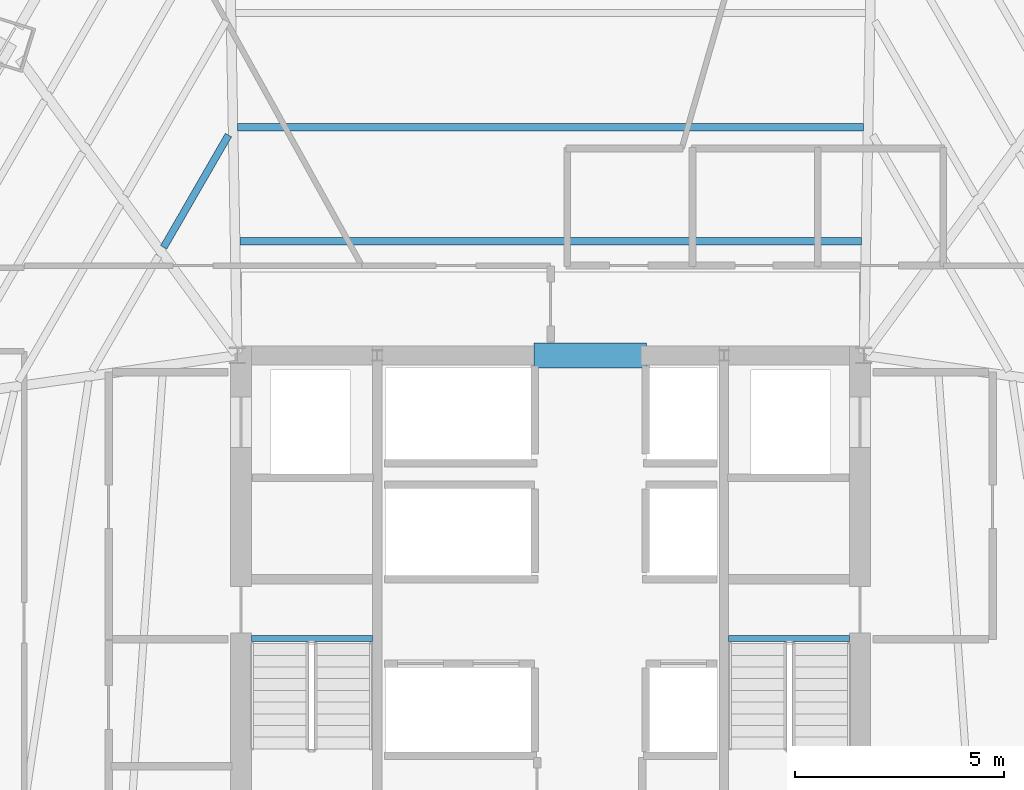
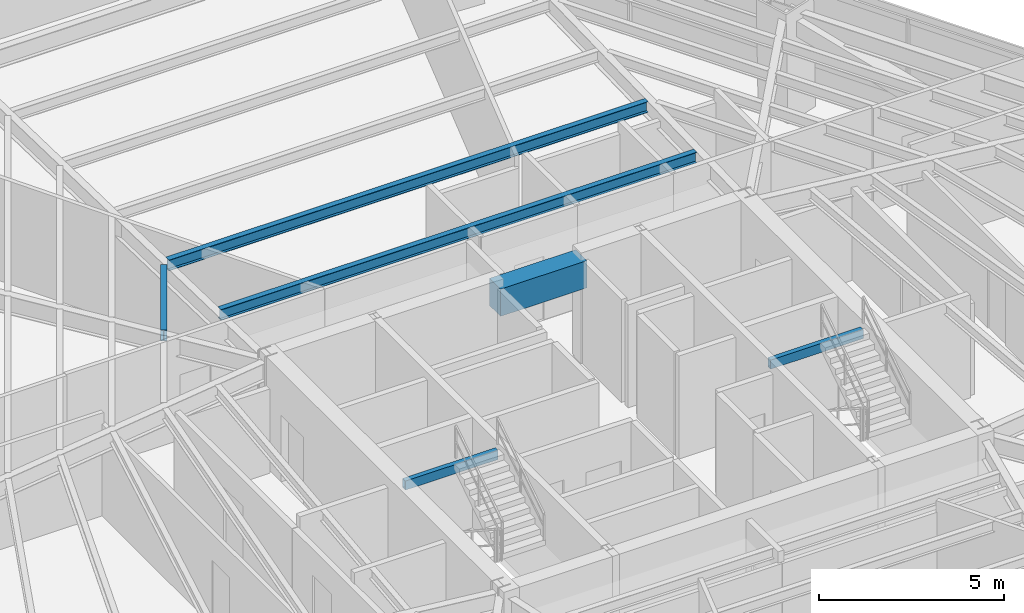
# One storey, part 14 of 35: 6 beams.
"""IFC4 building model written with IfcOpenShell, lengths in metres."""

from ifc_helpers import new_model, si_unit, direction, frame, origin, origin_2d, place, context, subcontext, project, spatial, rectangle, hollow_rectangle, i_section, extrude, source, transform, mapped, material, material_profile, profile_set, type_object, type_shapes, element, save


model = new_model("IFC4")

# Units and contexts
model_context = context("Model", 3, precision=1e-05, world=origin(), true_north=direction((0.0, 1.0)))
body_context = subcontext(model_context, "Body", "Model", "MODEL_VIEW")
ifc_project = project(units=[si_unit("LENGTHUNIT", "METRE"), si_unit("AREAUNIT", "SQUARE_METRE"), si_unit("VOLUMEUNIT", "CUBIC_METRE"), si_unit("PLANEANGLEUNIT", "RADIAN"), si_unit("MASSUNIT", "GRAM", prefix="KILO")], contexts=[model_context])

# Site, building, storey
site_placement = place(None, origin())
site = spatial("IfcSite", under=ifc_project, at=site_placement, CompositionType="ELEMENT")
building_placement = place(site_placement, origin())
building = spatial("IfcBuilding", under=site, at=building_placement, Name="Caelisora Broadcast Tower", CompositionType="ELEMENT")
storey_placement = place(building_placement, frame((0.0, 0.0, 87.14990234375)))
storey = spatial("IfcBuildingStorey", under=building, at=storey_placement, Name="L22", CompositionType="ELEMENT", Elevation=87.14990234375)

# Beams
ifc_material_1 = material(Name="Steel Grade 350 (AS/NZS 1163 C350L0)", Category="steel")
ifc_material_profile_1 = material_profile(ifc_material_1, hollow_rectangle(XDim=0.14990234375, YDim=0.300048828125, WallThickness=0.010009765625, at=origin_2d()), Name="Steel Grade 350 (AS/NZS 1163 C350L0)")
ifc_profile_set_1 = profile_set([ifc_material_profile_1], Name="Steel Grade 350 (AS/NZS 1163 C350L0)")
beam_type_1 = type_object("IfcBeamType", Name="SB05", PredefinedType="JOIST", material=ifc_profile_set_1)
shared_shape_1 = source(origin(), body_context, "Body", "SweptSolid", [
    extrude(hollow_rectangle(XDim=0.14990234375, YDim=0.300048828125, WallThickness=0.010009765625, at=origin_2d()), origin(), (0.0, 0.0, 1.0), 2.89990234375),
])
type_shapes(beam_type_1, [shared_shape_1])
for number, where, z_axis, x_axis, name in (
    (1, (30.840087890625, 23.219970703125, 3.25), (1.0, 0.0, 0.0), (0.0, 1.0, 0.0), "L22 beam SB05"),
    (2, (42.260009765625, 23.219970703125, 3.25), (1.0, 0.0, 0.0), (0.0, 1.0, 0.0), "L22 beam SB05"),
):
    element("IfcBeam", number, at=place(storey_placement, frame(where, z_axis=z_axis, x_axis=x_axis)), inside=storey, type_object=beam_type_1, Name=name, PredefinedType="JOIST", context=body_context, shape_type="MappedRepresentation", body=[
        mapped(shared_shape_1, transform((0.0, 0.0, 0.0), scale=1.0)),
    ])
ifc_material_2 = material(Name="Concrete 50 MPa (AS 3600 S50)", Category="concrete")
ifc_material_profile_2 = material_profile(ifc_material_2, rectangle(XDim=0.60009765625, YDim=0.89990234375, at=origin_2d()), Name="Concrete 50 MPa (AS 3600 S50)")
ifc_profile_set_2 = profile_set([ifc_material_profile_2], Name="Concrete 50 MPa (AS 3600 S50)")
beam_type_2 = type_object("IfcBeamType", Name="CB02", PredefinedType="LINTEL", material=ifc_profile_set_2)
shared_shape_2 = source(origin(), body_context, "Body", "SweptSolid", [
    extrude(rectangle(XDim=0.60009765625, YDim=0.89990234375, at=origin_2d()), origin(), (0.0, 0.0, 1.0), 2.699951171875),
])
type_shapes(beam_type_2, [shared_shape_2])
beam_1_placement = place(storey_placement, frame((37.60009765625, 30.0, 2.9501953125), z_axis=(1.0, 0.0, 0.0), x_axis=(0.0, 1.0, 0.0)))
element("IfcBeam", 3, at=beam_1_placement, inside=storey, type_object=beam_type_2, Name="L22 beam CB02", PredefinedType="LINTEL", context=body_context, shape_type="MappedRepresentation", body=[
    mapped(shared_shape_2, transform((0.0, 0.0, 0.0), scale=1.0)),
])
ifc_material_3 = material(Name="Steel Grade 350 (AS/NZS 3679.1)", Category="steel")
ifc_material_profile_3 = material_profile(ifc_material_3, i_section(OverallWidth=0.172119140625, OverallDepth=0.358642578125, WebThickness=0.008056640625, FlangeThickness=0.012939453125, at=origin_2d()), Name="Steel Grade 350 (AS/NZS 3679.1)")
ifc_profile_set_3 = profile_set([ifc_material_profile_3], Name="Steel Grade 350 (AS/NZS 3679.1)")
beam_type_3 = type_object("IfcBeamType", Name="SB02", PredefinedType="JOIST", material=ifc_profile_set_3)
shared_shape_3 = source(origin(), body_context, "Body", "SweptSolid", [
    extrude(i_section(OverallWidth=0.172119140625, OverallDepth=0.358642578125, WebThickness=0.008056640625, FlangeThickness=0.012939453125, at=origin_2d()), origin(), (0.0, 0.0, 1.0), 14.87841796875),
])
beam_2_placement = place(storey_placement, frame((45.439208984375, 32.73046875, 3.220703125), z_axis=(-1.0, 0.0, 0.0), x_axis=(0.0, -1.0, 0.0)))
element("IfcBeam", 4, at=beam_2_placement, inside=storey, type_object=beam_type_3, Name="L22 beam SB02", PredefinedType="JOIST", context=body_context, shape_type="MappedRepresentation", body=[
    mapped(shared_shape_3, transform((0.0, 0.0, 0.0), scale=1.0)),
])
shared_shape_4 = source(origin(), body_context, "Body", "SweptSolid", [
    extrude(i_section(OverallWidth=0.172119140625, OverallDepth=0.358642578125, WebThickness=0.008056640625, FlangeThickness=0.012939453125, at=origin_2d()), origin(), (0.0, 0.0, 1.0), 14.97900390625),
])
beam_3_placement = place(storey_placement, frame((45.489501953125, 35.461181640625, 3.220703125), z_axis=(-1.0, 0.0, 0.0), x_axis=(0.0, -1.0, 0.0)))
element("IfcBeam", 5, at=beam_3_placement, inside=storey, type_object=beam_type_3, Name="L22 beam SB02", PredefinedType="JOIST", context=body_context, shape_type="MappedRepresentation", body=[
    mapped(shared_shape_4, transform((0.0, 0.0, 0.0), scale=1.0)),
])
shared_shape_5 = source(origin(), body_context, "Body", "SweptSolid", [
    extrude(i_section(OverallWidth=0.172119140625, OverallDepth=0.358642578125, WebThickness=0.008056640625, FlangeThickness=0.012939453125, at=origin_2d()), origin(), (0.0, 0.0, 1.0), 3.101318359375),
])
type_shapes(beam_type_3, [shared_shape_3, shared_shape_4, shared_shape_5])
beam_4_placement = place(storey_placement, frame((30.290283203125, 35.272216796875, 3.220703125), z_axis=(-0.499974592989, -0.866040072032, 0.0), x_axis=(0.866040072032, -0.499974592989, 0.0)))
element("IfcBeam", 6, at=beam_4_placement, inside=storey, type_object=beam_type_3, Name="L22 beam SB02", PredefinedType="JOIST", context=body_context, shape_type="MappedRepresentation", body=[
    mapped(shared_shape_5, transform((0.0, 0.0, 0.0), scale=1.0)),
])

save(model, "model.ifc")
